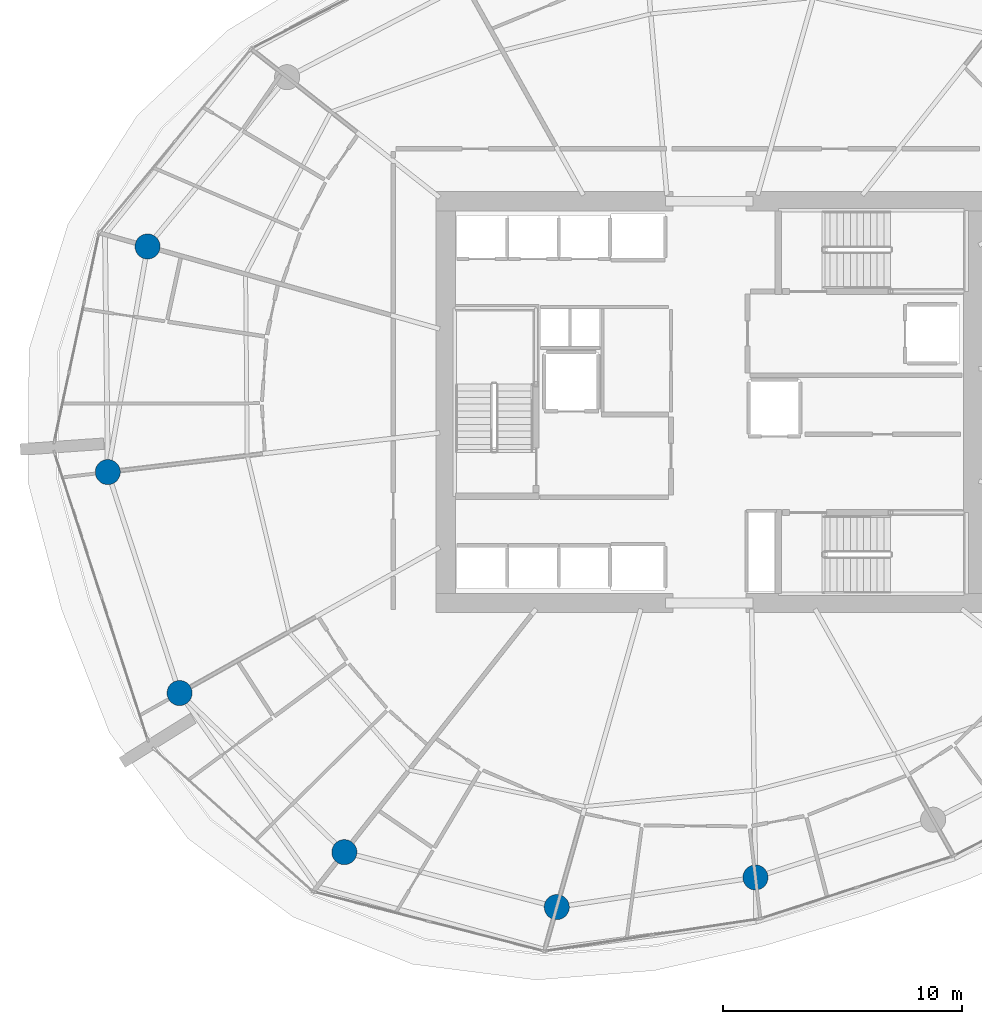
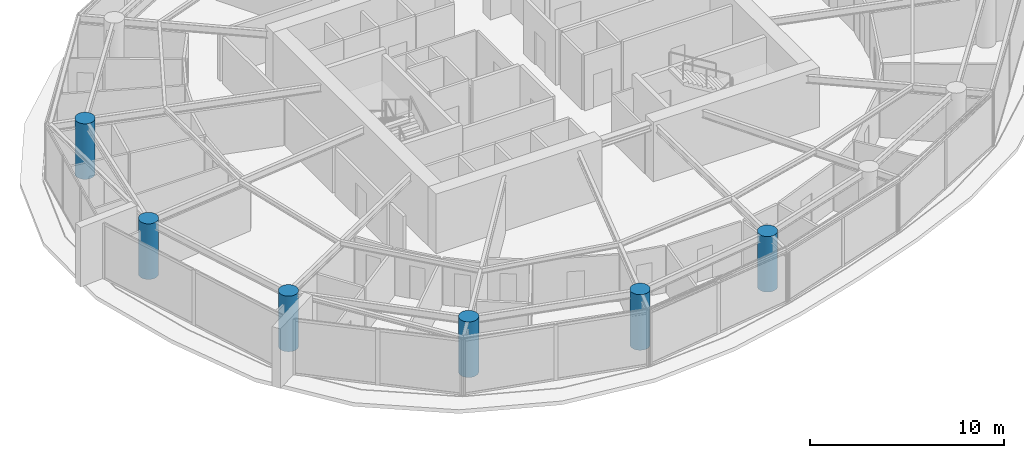
# One storey, part 1 of 17: 6 columns.
"""IFC4 building model written with IfcOpenShell, lengths in metres."""

from ifc_helpers import new_model, si_unit, direction, frame, origin, origin_2d, place, context, subcontext, project, spatial, circle, extrude, material, material_profile, profile_set, type_object, element, save


model = new_model("IFC4")

# Units and contexts
model_context = context("Model", 3, precision=1e-05, world=origin(), true_north=direction((0.0, 1.0)))
body_context = subcontext(model_context, "Body", "Model", "MODEL_VIEW")
ifc_project = project(units=[si_unit("LENGTHUNIT", "METRE"), si_unit("AREAUNIT", "SQUARE_METRE"), si_unit("VOLUMEUNIT", "CUBIC_METRE"), si_unit("PLANEANGLEUNIT", "RADIAN"), si_unit("MASSUNIT", "GRAM", prefix="KILO")], contexts=[model_context])

# Site, building, storey
site_placement = place(None, origin())
site = spatial("IfcSite", under=ifc_project, at=site_placement, CompositionType="ELEMENT")
building_placement = place(site_placement, origin())
building = spatial("IfcBuilding", under=site, at=building_placement, Name="Kazma Halo Residences", CompositionType="ELEMENT")
storey_placement = place(building_placement, frame((0.0, 0.0, 127.800048828125)))
storey = spatial("IfcBuildingStorey", under=building, at=storey_placement, Name="L31", CompositionType="ELEMENT", Elevation=127.800048828125)

# Columns
ifc_material = material(Name="Concrete C80/95", Category="concrete")
ifc_material_profile = material_profile(ifc_material, circle(Radius=0.52490234375, at=origin_2d()), Name="CIRC1050")
ifc_profile_set = profile_set([ifc_material_profile], Name="Concrete C80/95")
column_type = type_object("IfcColumnType", Name="COL-PERIM-1050", PredefinedType="COLUMN", material=ifc_profile_set)
for number, where, z_axis, x_axis, name in (
    (1, (24.93017578125, 48.50634765625, 0.0), (0.0, 0.0, 1.0), (1.0, 0.0, 0.0), "L31 perimeter ring column P07"),
    (2, (23.266845703125, 39.072509765625, 0.0), (0.0, 0.0, 1.0), (1.0, 0.0, 0.0), "L31 perimeter ring column P08"),
    (3, (26.269775390625, 29.83056640625, 0.0), (0.0, 0.0, 1.0), (1.0, 0.0, 0.0), "L31 perimeter ring column P09"),
    (4, (33.160400390625, 23.17626953125, 0.0), (0.0, 0.0, 1.0), (1.0, 0.0, 0.0), "L31 perimeter ring column P10"),
    (5, (42.04296875, 20.878173828125, 0.0), (0.0, 0.0, 1.0), (1.0, 0.0, 0.0), "L31 perimeter ring column P11"),
    (6, (50.35302734375, 22.118896484375, 0.0), (0.0, 0.0, 1.0), (1.0, 0.0, 0.0), "L31 perimeter ring column P12"),
):
    element("IfcColumn", number, at=place(storey_placement, frame(where, z_axis=z_axis, x_axis=x_axis)), inside=storey, type_object=column_type, Name=name, PredefinedType="COLUMN", context=body_context, shape_type="SweptSolid", body=[
        extrude(circle(Radius=0.52490234375, at=origin_2d()), origin(), (0.0, 0.0, 1.0), 3.5),
    ])

save(model, "model.ifc")
